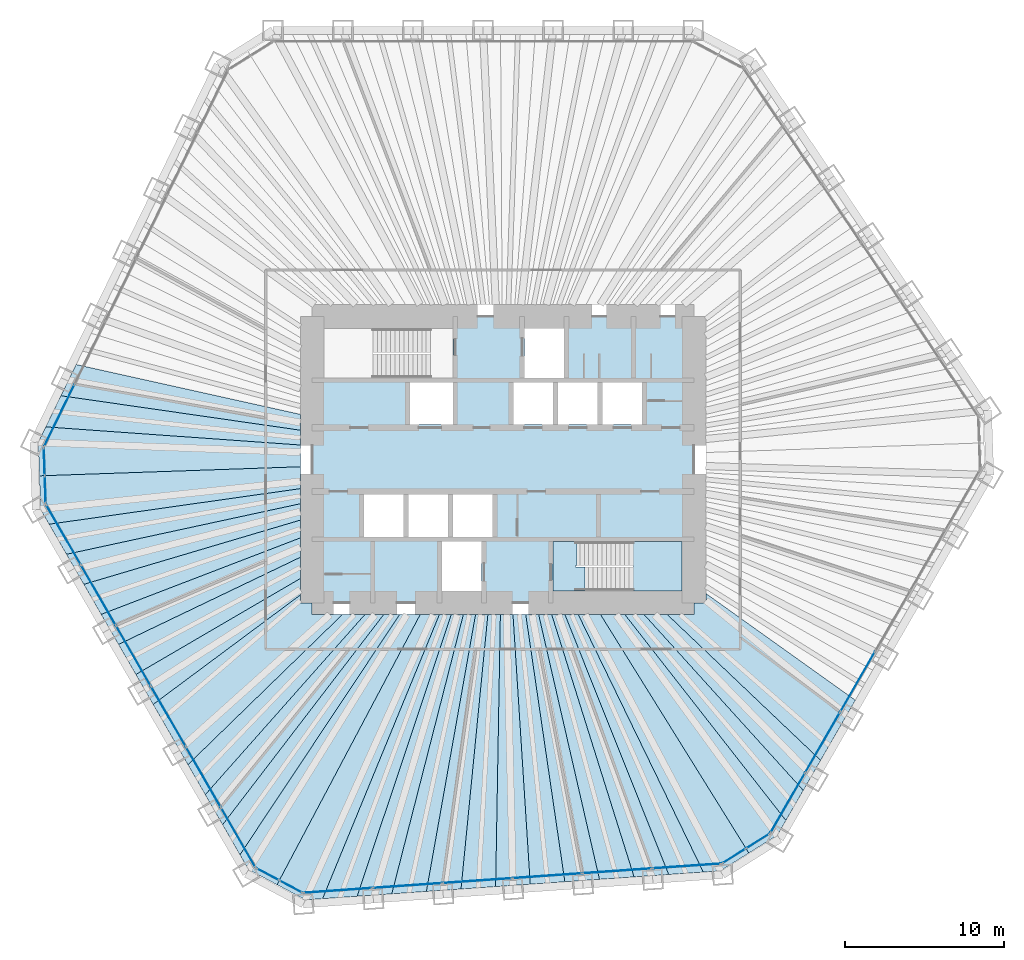
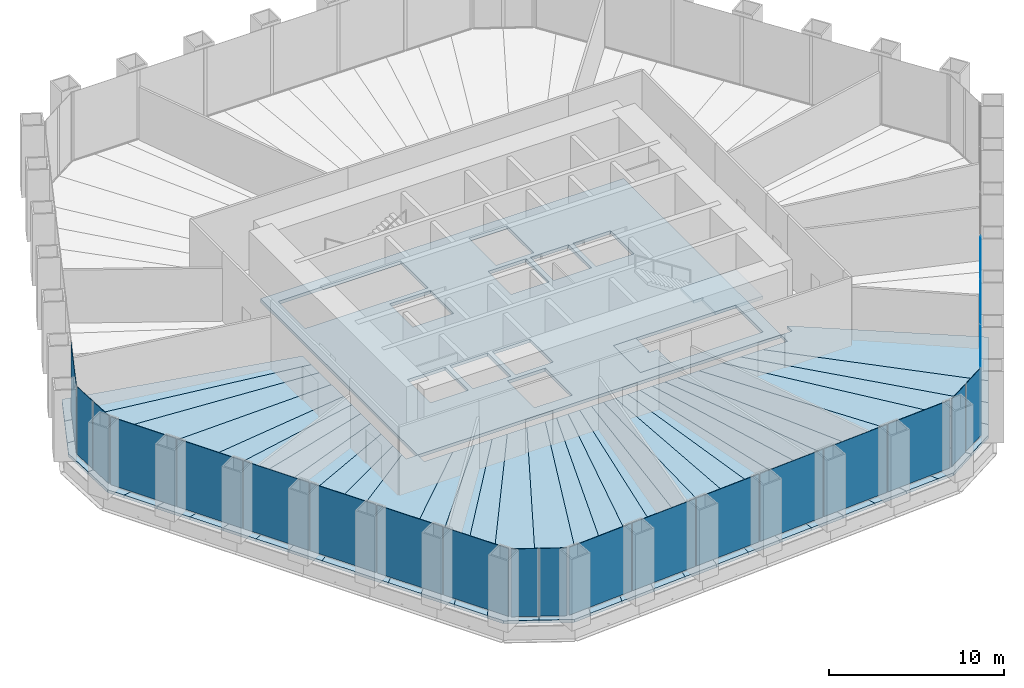
# One storey, part 8 of 13: 35 slabs, 22 plates, 8 elements without a shape of their own.
"""IFC4 building model written with IfcOpenShell, lengths in metres."""

from ifc_helpers import new_model, si_unit, direction, frame, origin, origin_2d, place, context, subcontext, project, spatial, polyline, rectangle, outline, extrude, material, layer, layer_set, type_object, element, aggregate, save


model = new_model("IFC4")

# Units and contexts
model_context = context("Model", 3, precision=1e-05, world=origin(), true_north=direction((0.0, 1.0)))
body_context = subcontext(model_context, "Body", "Model", "MODEL_VIEW")
ifc_project = project(units=[si_unit("LENGTHUNIT", "METRE"), si_unit("AREAUNIT", "SQUARE_METRE"), si_unit("VOLUMEUNIT", "CUBIC_METRE"), si_unit("PLANEANGLEUNIT", "RADIAN"), si_unit("MASSUNIT", "GRAM", prefix="KILO")], contexts=[model_context])

# Site, building, storey
site_placement = place(None, origin())
site = spatial("IfcSite", under=ifc_project, at=site_placement, CompositionType="ELEMENT")
building_placement = place(site_placement, origin())
building = spatial("IfcBuilding", under=site, at=building_placement, Name="Qingtian Harvest Tower", CompositionType="ELEMENT")
storey_placement = place(building_placement, frame((0.0, 0.0, 22.0)))
storey = spatial("IfcBuildingStorey", under=building, at=storey_placement, Name="L04", CompositionType="ELEMENT", Elevation=22.0)

# Slabs
ifc_material_1 = material(Name="Concrete fc' 35 MPa", Category="concrete")
ifc_layer_1 = layer(ifc_material_1, 0.199951171875)
ifc_layer_set_1 = layer_set([ifc_layer_1], Name="Composite floor slab FS20 200")
slab_type_1 = type_object("IfcSlabType", Name="Composite floor slab FS20 200", PredefinedType="FLOOR", material=ifc_layer_set_1)
slab_1_placement = place(storey_placement, frame((0.0, 0.0, -0.199951171875)))
element("IfcSlab", 1, at=slab_1_placement, inside=storey, type_object=slab_type_1, Name="Floor slab L04 panel D01", PredefinedType="FLOOR", context=body_context, shape_type="SweptSolid", body=[
    extrude(outline(polyline([(-29.157470703125, -1.018310546875), (-12.75, -0.447509765625), (-12.75, -1.822998046875), (-28.548583984375, -4.062255859375), (-29.08349609375, -3.135986328125), (-29.157470703125, -1.018310546875)])), origin(), (0.0, 0.0, 1.0), 0.199951171875),
])
slab_2_placement = place(storey_placement, frame((0.0, 0.0, -0.199951171875)))
element("IfcSlab", 2, at=slab_2_placement, inside=storey, type_object=slab_type_1, Name="Floor slab L04 panel D02", PredefinedType="FLOOR", context=body_context, shape_type="SweptSolid", body=[
    extrude(outline(polyline([(-12.75, -2.773681640625), (-27.45751953125, -5.9521484375), (-28.548583984375, -4.062255859375), (-12.75, -1.822998046875), (-12.75, -2.773681640625)])), origin(), (0.0, 0.0, 1.0), 0.199951171875),
])
slab_3_placement = place(storey_placement, frame((0.0, 0.0, -0.199951171875)))
element("IfcSlab", 3, at=slab_3_placement, inside=storey, type_object=slab_type_1, Name="Floor slab L04 panel D03", PredefinedType="FLOOR", context=body_context, shape_type="SweptSolid", body=[
    extrude(outline(polyline([(-12.75, -3.80322265625), (-26.366455078125, -7.842041015625), (-27.45751953125, -5.9521484375), (-12.75, -2.773681640625), (-12.75, -3.80322265625)])), origin(), (0.0, 0.0, 1.0), 0.199951171875),
])
slab_4_placement = place(storey_placement, frame((0.0, 0.0, -0.199951171875)))
element("IfcSlab", 4, at=slab_4_placement, inside=storey, type_object=slab_type_1, Name="Floor slab L04 panel D04", PredefinedType="FLOOR", context=body_context, shape_type="SweptSolid", body=[
    extrude(outline(polyline([(-12.75, -4.921875), (-25.275146484375, -9.732177734375), (-26.366455078125, -7.842041015625), (-12.75, -3.80322265625), (-12.75, -4.921875)])), origin(), (0.0, 0.0, 1.0), 0.199951171875),
])
slab_5_placement = place(storey_placement, frame((0.0, 0.0, -0.199951171875)))
element("IfcSlab", 5, at=slab_5_placement, inside=storey, type_object=slab_type_1, Name="Floor slab L04 panel D05", PredefinedType="FLOOR", context=body_context, shape_type="SweptSolid", body=[
    extrude(outline(polyline([(-12.75, -6.141357421875), (-24.18408203125, -11.6220703125), (-25.275146484375, -9.732177734375), (-12.75, -4.921875), (-12.75, -6.141357421875)])), origin(), (0.0, 0.0, 1.0), 0.199951171875),
])
slab_6_placement = place(storey_placement, frame((0.0, 0.0, -0.199951171875)))
element("IfcSlab", 6, at=slab_6_placement, inside=storey, type_object=slab_type_1, Name="Floor slab L04 panel D06", PredefinedType="FLOOR", context=body_context, shape_type="SweptSolid", body=[
    extrude(outline(polyline([(-12.75, -7.4765625), (-23.0927734375, -13.511962890625), (-24.18408203125, -11.6220703125), (-12.75, -6.141357421875), (-12.75, -7.4765625)])), origin(), (0.0, 0.0, 1.0), 0.199951171875),
])
slab_7_placement = place(storey_placement, frame((0.0, 0.0, -0.199951171875)))
element("IfcSlab", 7, at=slab_7_placement, inside=storey, type_object=slab_type_1, Name="Floor slab L04 panel D07", PredefinedType="FLOOR", context=body_context, shape_type="SweptSolid", body=[
    extrude(outline(polyline([(-12.75, -8.512451171875), (-22.00537109375, -15.3955078125), (-23.0927734375, -13.511962890625), (-12.75, -7.4765625), (-12.75, -8.512451171875)])), origin(), (0.0, 0.0, 1.0), 0.199951171875),
])
slab_8_placement = place(storey_placement, frame((0.0, 0.0, -0.199951171875)))
element("IfcSlab", 8, at=slab_8_placement, inside=storey, type_object=slab_type_1, Name="Floor slab L04 panel D09", PredefinedType="FLOOR", context=body_context, shape_type="SweptSolid", body=[
    extrude(outline(polyline([(-19.81982421875, -19.18115234375), (-22.00537109375, -15.3955078125), (-12.75, -8.512451171875), (-12.75, -9.0), (-12.0, -9.0), (-12.0, -9.75), (-10.1123046875, -9.75), (-19.81982421875, -19.18115234375)])), origin(), (0.0, 0.0, 1.0), 0.199951171875),
])
slab_9_placement = place(storey_placement, frame((0.0, 0.0, -0.199951171875)))
element("IfcSlab", 9, at=slab_9_placement, inside=storey, type_object=slab_type_1, Name="Floor slab L04 panel D10", PredefinedType="FLOOR", context=body_context, shape_type="SweptSolid", body=[
    extrude(outline(polyline([(-8.694580078125, -9.75), (-18.728515625, -21.0712890625), (-19.81982421875, -19.18115234375), (-10.1123046875, -9.75), (-8.694580078125, -9.75)])), origin(), (0.0, 0.0, 1.0), 0.199951171875),
])
slab_10_placement = place(storey_placement, frame((0.0, 0.0, -0.199951171875)))
element("IfcSlab", 10, at=slab_10_placement, inside=storey, type_object=slab_type_1, Name="Floor slab L04 panel D11", PredefinedType="FLOOR", context=body_context, shape_type="SweptSolid", body=[
    extrude(outline(polyline([(-7.511474609375, -9.75), (-17.63720703125, -22.961181640625), (-18.728515625, -21.0712890625), (-8.694580078125, -9.75), (-7.511474609375, -9.75)])), origin(), (0.0, 0.0, 1.0), 0.199951171875),
])
slab_11_placement = place(storey_placement, frame((0.0, 0.0, -0.199951171875)))
element("IfcSlab", 11, at=slab_11_placement, inside=storey, type_object=slab_type_1, Name="Floor slab L04 panel D12", PredefinedType="FLOOR", context=body_context, shape_type="SweptSolid", body=[
    extrude(outline(polyline([(-6.509033203125, -9.75), (-16.546142578125, -24.851318359375), (-17.63720703125, -22.961181640625), (-7.511474609375, -9.75), (-6.509033203125, -9.75)])), origin(), (0.0, 0.0, 1.0), 0.199951171875),
])
slab_12_placement = place(storey_placement, frame((0.0, 0.0, -0.199951171875)))
element("IfcSlab", 12, at=slab_12_placement, inside=storey, type_object=slab_type_1, Name="Floor slab L04 panel D13", PredefinedType="FLOOR", context=body_context, shape_type="SweptSolid", body=[
    extrude(outline(polyline([(-6.509033203125, -9.75), (-5.213623046875, -9.75), (-14.214599609375, -26.73291015625), (-16.01123046875, -25.777587890625), (-16.546142578125, -24.851318359375), (-6.509033203125, -9.75)])), origin(), (0.0, 0.0, 1.0), 0.199951171875),
])
slab_13_placement = place(storey_placement, frame((0.0, 0.0, -0.199951171875)))
element("IfcSlab", 13, at=slab_13_placement, inside=storey, type_object=slab_type_1, Name="Floor slab L04 panel D14", PredefinedType="FLOOR", context=body_context, shape_type="SweptSolid", body=[
    extrude(outline(polyline([(-5.213623046875, -9.75), (-4.006591796875, -9.75), (-11.350341796875, -27.614013671875), (-12.417236328125, -27.688720703125), (-14.214599609375, -26.73291015625), (-5.213623046875, -9.75)])), origin(), (0.0, 0.0, 1.0), 0.199951171875),
])
slab_14_placement = place(storey_placement, frame((0.0, 0.0, -0.199951171875)))
element("IfcSlab", 14, at=slab_14_placement, inside=storey, type_object=slab_type_1, Name="Floor slab L04 panel D15", PredefinedType="FLOOR", context=body_context, shape_type="SweptSolid", body=[
    extrude(outline(polyline([(-3.255859375, -9.75), (-9.17333984375, -27.4619140625), (-11.350341796875, -27.614013671875), (-4.006591796875, -9.75), (-3.255859375, -9.75)])), origin(), (0.0, 0.0, 1.0), 0.199951171875),
])
slab_15_placement = place(storey_placement, frame((0.0, 0.0, -0.199951171875)))
element("IfcSlab", 15, at=slab_15_placement, inside=storey, type_object=slab_type_1, Name="Floor slab L04 panel D16", PredefinedType="FLOOR", context=body_context, shape_type="SweptSolid", body=[
    extrude(outline(polyline([(-2.496826171875, -9.75), (-6.996337890625, -27.3095703125), (-9.17333984375, -27.4619140625), (-3.255859375, -9.75), (-2.496826171875, -9.75)])), origin(), (0.0, 0.0, 1.0), 0.199951171875),
])
slab_16_placement = place(storey_placement, frame((0.0, 0.0, -0.199951171875)))
element("IfcSlab", 16, at=slab_16_placement, inside=storey, type_object=slab_type_1, Name="Floor slab L04 panel D17", PredefinedType="FLOOR", context=body_context, shape_type="SweptSolid", body=[
    extrude(outline(polyline([(-1.729248046875, -9.75), (-4.8193359375, -27.1572265625), (-6.996337890625, -27.3095703125), (-2.496826171875, -9.75), (-1.729248046875, -9.75)])), origin(), (0.0, 0.0, 1.0), 0.199951171875),
])
slab_17_placement = place(storey_placement, frame((0.0, 0.0, -0.199951171875)))
element("IfcSlab", 17, at=slab_17_placement, inside=storey, type_object=slab_type_1, Name="Floor slab L04 panel D18", PredefinedType="FLOOR", context=body_context, shape_type="SweptSolid", body=[
    extrude(outline(polyline([(-0.952880859375, -9.75), (-2.642333984375, -27.005126953125), (-4.8193359375, -27.1572265625), (-1.729248046875, -9.75), (-0.952880859375, -9.75)])), origin(), (0.0, 0.0, 1.0), 0.199951171875),
])
slab_18_placement = place(storey_placement, frame((0.0, 0.0, -0.199951171875)))
element("IfcSlab", 18, at=slab_18_placement, inside=storey, type_object=slab_type_1, Name="Floor slab L04 panel D19", PredefinedType="FLOOR", context=body_context, shape_type="SweptSolid", body=[
    extrude(outline(polyline([(-0.16796875, -9.75), (-0.46533203125, -26.852783203125), (-2.642333984375, -27.005126953125), (-0.952880859375, -9.75), (-0.16796875, -9.75)])), origin(), (0.0, 0.0, 1.0), 0.199951171875),
])
slab_19_placement = place(storey_placement, frame((0.0, 0.0, -0.199951171875)))
element("IfcSlab", 19, at=slab_19_placement, inside=storey, type_object=slab_type_1, Name="Floor slab L04 panel D20", PredefinedType="FLOOR", context=body_context, shape_type="SweptSolid", body=[
    extrude(outline(polyline([(0.626220703125, -9.75), (1.711669921875, -26.70068359375), (-0.46533203125, -26.852783203125), (-0.16796875, -9.75), (0.626220703125, -9.75)])), origin(), (0.0, 0.0, 1.0), 0.199951171875),
])
slab_20_placement = place(storey_placement, frame((0.0, 0.0, -0.199951171875)))
element("IfcSlab", 20, at=slab_20_placement, inside=storey, type_object=slab_type_1, Name="Floor slab L04 panel D21", PredefinedType="FLOOR", context=body_context, shape_type="SweptSolid", body=[
    extrude(outline(polyline([(1.42919921875, -9.75), (3.888671875, -26.54833984375), (1.711669921875, -26.70068359375), (0.626220703125, -9.75), (1.42919921875, -9.75)])), origin(), (0.0, 0.0, 1.0), 0.199951171875),
])
slab_21_placement = place(storey_placement, frame((0.0, 0.0, -0.199951171875)))
element("IfcSlab", 21, at=slab_21_placement, inside=storey, type_object=slab_type_1, Name="Floor slab L04 panel D22", PredefinedType="FLOOR", context=body_context, shape_type="SweptSolid", body=[
    extrude(outline(polyline([(2.24169921875, -9.75), (6.065673828125, -26.396240234375), (3.888671875, -26.54833984375), (1.42919921875, -9.75), (2.24169921875, -9.75)])), origin(), (0.0, 0.0, 1.0), 0.199951171875),
])
slab_22_placement = place(storey_placement, frame((0.0, 0.0, -0.199951171875)))
element("IfcSlab", 22, at=slab_22_placement, inside=storey, type_object=slab_type_1, Name="Floor slab L04 panel D23", PredefinedType="FLOOR", context=body_context, shape_type="SweptSolid", body=[
    extrude(outline(polyline([(3.0634765625, -9.75), (8.24267578125, -26.243896484375), (6.065673828125, -26.396240234375), (2.24169921875, -9.75), (3.0634765625, -9.75)])), origin(), (0.0, 0.0, 1.0), 0.199951171875),
])
slab_23_placement = place(storey_placement, frame((0.0, 0.0, -0.199951171875)))
element("IfcSlab", 23, at=slab_23_placement, inside=storey, type_object=slab_type_1, Name="Floor slab L04 panel D24", PredefinedType="FLOOR", context=body_context, shape_type="SweptSolid", body=[
    extrude(outline(polyline([(3.894775390625, -9.75), (10.419677734375, -26.091796875), (8.24267578125, -26.243896484375), (3.0634765625, -9.75), (3.894775390625, -9.75)])), origin(), (0.0, 0.0, 1.0), 0.199951171875),
])
slab_24_placement = place(storey_placement, frame((0.0, 0.0, -0.199951171875)))
element("IfcSlab", 24, at=slab_24_placement, inside=storey, type_object=slab_type_1, Name="Floor slab L04 panel D25", PredefinedType="FLOOR", context=body_context, shape_type="SweptSolid", body=[
    extrude(outline(polyline([(4.736083984375, -9.75), (12.5966796875, -25.939453125), (10.419677734375, -26.091796875), (3.894775390625, -9.75), (4.736083984375, -9.75)])), origin(), (0.0, 0.0, 1.0), 0.199951171875),
])
slab_25_placement = place(storey_placement, frame((0.0, 0.0, -0.199951171875)))
element("IfcSlab", 25, at=slab_25_placement, inside=storey, type_object=slab_type_1, Name="Floor slab L04 panel D26", PredefinedType="FLOOR", context=body_context, shape_type="SweptSolid", body=[
    extrude(outline(polyline([(4.736083984375, -9.75), (6.136474609375, -9.75), (15.4609375, -24.74169921875), (13.663330078125, -25.864990234375), (12.5966796875, -25.939453125), (4.736083984375, -9.75)])), origin(), (0.0, 0.0, 1.0), 0.199951171875),
])
slab_26_placement = place(storey_placement, frame((0.0, 0.0, -0.199951171875)))
element("IfcSlab", 26, at=slab_26_placement, inside=storey, type_object=slab_type_1, Name="Floor slab L04 panel D27", PredefinedType="FLOOR", context=body_context, shape_type="SweptSolid", body=[
    extrude(outline(polyline([(6.136474609375, -9.75), (7.66748046875, -9.75), (17.79248046875, -22.692626953125), (17.257568359375, -23.618896484375), (15.4609375, -24.74169921875), (6.136474609375, -9.75)])), origin(), (0.0, 0.0, 1.0), 0.199951171875),
])
slab_27_placement = place(storey_placement, frame((0.0, 0.0, -0.199951171875)))
element("IfcSlab", 27, at=slab_27_placement, inside=storey, type_object=slab_type_1, Name="Floor slab L04 panel D28", PredefinedType="FLOOR", context=body_context, shape_type="SweptSolid", body=[
    extrude(outline(polyline([(8.88037109375, -9.75), (18.883544921875, -20.802734375), (17.79248046875, -22.692626953125), (7.66748046875, -9.75), (8.88037109375, -9.75)])), origin(), (0.0, 0.0, 1.0), 0.199951171875),
])
slab_28_placement = place(storey_placement, frame((0.0, 0.0, -0.199951171875)))
element("IfcSlab", 28, at=slab_28_placement, inside=storey, type_object=slab_type_1, Name="Floor slab L04 panel D29", PredefinedType="FLOOR", context=body_context, shape_type="SweptSolid", body=[
    extrude(outline(polyline([(10.337158203125, -9.75), (19.974853515625, -18.91259765625), (18.883544921875, -20.802734375), (8.88037109375, -9.75), (10.337158203125, -9.75)])), origin(), (0.0, 0.0, 1.0), 0.199951171875),
])
slab_29_placement = place(storey_placement, frame((0.0, 0.0, -0.199951171875)))
element("IfcSlab", 29, at=slab_29_placement, inside=storey, type_object=slab_type_1, Name="Floor slab L04 panel D31", PredefinedType="FLOOR", context=body_context, shape_type="SweptSolid", body=[
    extrude(outline(polyline([(12.75, -8.4091796875), (22.159423828125, -15.128662109375), (19.974853515625, -18.91259765625), (10.337158203125, -9.75), (12.0, -9.75), (12.0, -9.0), (12.75, -9.0), (12.75, -8.4091796875)])), origin(), (0.0, 0.0, 1.0), 0.199951171875),
])
slab_30_placement = place(storey_placement, frame((0.0, 0.0, -0.199951171875)))
element("IfcSlab", 30, at=slab_30_placement, inside=storey, type_object=slab_type_1, Name="Floor slab L04 panel D76", PredefinedType="FLOOR", context=body_context, shape_type="SweptSolid", body=[
    extrude(outline(polyline([(-12.75, 1.8525390625), (-27.805908203125, 4.022216796875), (-26.84912109375, 5.98388671875), (-12.75, 2.8505859375), (-12.75, 1.8525390625)])), origin(), (0.0, 0.0, 1.0), 0.199951171875),
])
slab_31_placement = place(storey_placement, frame((0.0, 0.0, -0.199951171875)))
element("IfcSlab", 31, at=slab_31_placement, inside=storey, type_object=slab_type_1, Name="Floor slab L04 panel D77", PredefinedType="FLOOR", context=body_context, shape_type="SweptSolid", body=[
    extrude(outline(polyline([(-12.75, 0.9208984375), (-28.762451171875, 2.060791015625), (-27.805908203125, 4.022216796875), (-12.75, 1.8525390625), (-12.75, 0.9208984375)])), origin(), (0.0, 0.0, 1.0), 0.199951171875),
])
slab_32_placement = place(storey_placement, frame((0.0, 0.0, -0.199951171875)))
element("IfcSlab", 32, at=slab_32_placement, inside=storey, type_object=slab_type_1, Name="Floor slab L04 panel D78", PredefinedType="FLOOR", context=body_context, shape_type="SweptSolid", body=[
    extrude(outline(polyline([(-12.75, 0.9208984375), (-12.75, -0.447509765625), (-29.157470703125, -1.018310546875), (-29.2314453125, 1.099609375), (-28.762451171875, 2.060791015625), (-12.75, 0.9208984375)])), origin(), (0.0, 0.0, 1.0), 0.199951171875),
])
ifc_material_2 = material(Name="Concrete fc' 35 MPa", Category="concrete")
ifc_layer_2 = layer(ifc_material_2, 0.219970703125)
ifc_layer_set_2 = layer_set([ifc_layer_2], Name="Core floor slab CS22 220")
slab_type_2 = type_object("IfcSlabType", Name="Core floor slab CS22 220", PredefinedType="FLOOR", material=ifc_layer_set_2)
slab_33_placement = place(storey_placement, frame((0.0, 0.0, -0.219970703125)))
element("IfcSlab", 33, at=slab_33_placement, inside=storey, type_object=slab_type_2, Name="Core floor slab L04", PredefinedType="FLOOR", context=body_context, shape_type="SweptSolid", body=[
    extrude(outline(polyline([(-12.0, -9.0), (12.0, -9.0), (12.0, 9.0), (-12.0, 9.0), (-12.0, -9.0)]), holes=[polyline([(-11.25, 5.14990234375), (-3.14990234375, 5.14990234375), (-3.14990234375, 8.25), (-11.25, 8.25), (-11.25, 5.14990234375)]), polyline([(3.14990234375, -8.25), (11.25, -8.25), (11.25, -5.14990234375), (3.14990234375, -5.14990234375), (3.14990234375, -8.25)]), polyline([(1.35009765625, 5.14990234375), (3.85009765625, 5.14990234375), (3.85009765625, 8.25), (1.35009765625, 8.25), (1.35009765625, 5.14990234375)]), polyline([(-3.85009765625, -8.25), (-1.35009765625, -8.25), (-1.35009765625, -5.14990234375), (-3.85009765625, -5.14990234375), (-3.85009765625, -8.25)]), polyline([(-5.85009765625, 2.199951171875), (-3.14990234375, 2.199951171875), (-3.14990234375, 4.85009765625), (-5.85009765625, 4.85009765625), (-5.85009765625, 2.199951171875)]), polyline([(0.64990234375, 2.199951171875), (3.14990234375, 2.199951171875), (3.14990234375, 4.85009765625), (0.64990234375, 4.85009765625), (0.64990234375, 2.199951171875)]), polyline([(3.449951171875, 2.199951171875), (5.949951171875, 2.199951171875), (5.949951171875, 4.85009765625), (3.449951171875, 4.85009765625), (3.449951171875, 2.199951171875)]), polyline([(6.25, 2.199951171875), (8.75, 2.199951171875), (8.75, 4.85009765625), (6.25, 4.85009765625), (6.25, 2.199951171875)]), polyline([(-8.75, -4.85009765625), (-6.25, -4.85009765625), (-6.25, -2.199951171875), (-8.75, -2.199951171875), (-8.75, -4.85009765625)]), polyline([(-5.949951171875, -4.85009765625), (-3.449951171875, -4.85009765625), (-3.449951171875, -2.199951171875), (-5.949951171875, -2.199951171875), (-5.949951171875, -4.85009765625)]), polyline([(-3.14990234375, -4.85009765625), (-0.64990234375, -4.85009765625), (-0.64990234375, -2.199951171875), (-3.14990234375, -2.199951171875), (-3.14990234375, -4.85009765625)])]), origin(), (0.0, 0.0, 1.0), 0.219970703125),
])

# Curtain wall, plates
ifc_material_3 = material(Name="Bronze-anodised aluminium curtain wall", Category="aluminium")
curtain_wall_type = type_object("IfcCurtainWallType", Name="Curtain wall CW2 farm reception", PredefinedType="USERDEFINED", material=ifc_material_3)
curtain_wall_1_placement = place(storey_placement, origin())
curtain_wall_1 = element("IfcCurtainWall", 34, at=curtain_wall_1_placement, inside=storey, type_object=curtain_wall_type, Name="Curtain wall CW2 L04 SE0-5", ObjectType="RECESSED CURTAIN WALL", PredefinedType="USERDEFINED")
ifc_material_4 = material(Name="Bronze-tinted laminated insulating glass", Category="glass")
ifc_layer_3 = layer(ifc_material_4, 0.030029296875)
ifc_layer_set_3 = layer_set([ifc_layer_3], Name="Glazed panel CWP tinted IGU")
plate_type = type_object("IfcPlateType", Name="Glazed panel CWP tinted IGU", PredefinedType="CURTAIN_PANEL", material=ifc_layer_set_3)
plate_1_placement = place(storey_placement, frame((22.30419921875, -13.968017578125, 0.06494140625), z_axis=(0.0, 0.0, 1.0), x_axis=(-0.5, -0.866025403784, 0.0)))
plate_1 = element("IfcPlate", 35, at=plate_1_placement, type_object=plate_type, Name="CW2 panel 4.1", PredefinedType="CURTAIN_PANEL", context=body_context, shape_type="SweptSolid", body=[
    extrude(rectangle(XDim=4.339599609375, YDim=0.030029296875, at=origin_2d()), origin(), (0.0, 0.0, 1.0), 4.735107421875),
])
plate_2_placement = place(storey_placement, frame((20.101806640625, -17.782470703125, 0.06494140625), z_axis=(0.0, 0.0, 1.0), x_axis=(-0.5, -0.866025403784, 0.0)))
plate_2 = element("IfcPlate", 36, at=plate_2_placement, type_object=plate_type, Name="CW2 panel 5.1", PredefinedType="CURTAIN_PANEL", context=body_context, shape_type="SweptSolid", body=[
    extrude(rectangle(XDim=4.339599609375, YDim=0.030029296875, at=origin_2d()), origin(), (0.0, 0.0, 1.0), 4.735107421875),
])
plate_3_placement = place(storey_placement, frame((17.90771484375, -21.5830078125, 0.06494140625), z_axis=(0.0, 0.0, 1.0), x_axis=(-0.5, -0.866025403784, 0.0)))
plate_3 = element("IfcPlate", 37, at=plate_3_placement, type_object=plate_type, Name="CW2 panel 6.1", PredefinedType="CURTAIN_PANEL", context=body_context, shape_type="SweptSolid", body=[
    extrude(rectangle(XDim=4.30712890625, YDim=0.030029296875, at=origin_2d()), origin(), (0.0, 0.0, 1.0), 4.735107421875),
])
aggregate(curtain_wall_1, [plate_1, plate_2, plate_3])

curtain_wall_2_placement = place(storey_placement, origin())
curtain_wall_2 = element("IfcCurtainWall", 38, at=curtain_wall_2_placement, inside=storey, type_object=curtain_wall_type, Name="Curtain wall CW2 L04 SEC", ObjectType="RECESSED CURTAIN WALL", PredefinedType="USERDEFINED")
plate_4_placement = place(storey_placement, frame((16.025390625, -23.9873046875, 0.06494140625), z_axis=(0.0, 0.0, 1.0), x_axis=(-0.848048096156, -0.529919264233, 0.0)))
plate_4 = element("IfcPlate", 39, at=plate_4_placement, type_object=plate_type, Name="CW2 panel 1.1", PredefinedType="CURTAIN_PANEL", context=body_context, shape_type="SweptSolid", body=[
    extrude(rectangle(XDim=1.69287109375, YDim=0.030029296875, at=origin_2d()), origin(), (0.0, 0.0, 1.0), 4.735107421875),
])
plate_5_placement = place(storey_placement, frame((14.53466796875, -24.9189453125, 0.06494140625), z_axis=(0.0, 0.0, 1.0), x_axis=(-0.848048096156, -0.529919264233, 0.0)))
plate_5 = element("IfcPlate", 40, at=plate_5_placement, type_object=plate_type, Name="CW2 panel 2.1", PredefinedType="CURTAIN_PANEL", context=body_context, shape_type="SweptSolid", body=[
    extrude(rectangle(XDim=1.69287109375, YDim=0.030029296875, at=origin_2d()), origin(), (0.0, 0.0, 1.0), 4.735107421875),
])
aggregate(curtain_wall_2, [plate_4, plate_5])

curtain_wall_3_placement = place(storey_placement, origin())
curtain_wall_3 = element("IfcCurtainWall", 41, at=curtain_wall_3_placement, inside=storey, type_object=curtain_wall_type, Name="Curtain wall CW2 L04 S0-5", ObjectType="RECESSED CURTAIN WALL", PredefinedType="USERDEFINED")
plate_6_placement = place(storey_placement, frame((11.548583984375, -25.556640625, 0.06494140625), z_axis=(0.0, 0.0, 1.0), x_axis=(-0.99756405026, -0.069756473744, 0.0)))
plate_6 = element("IfcPlate", 42, at=plate_6_placement, type_object=plate_type, Name="CW2 panel 1.1", PredefinedType="CURTAIN_PANEL", context=body_context, shape_type="SweptSolid", body=[
    extrude(rectangle(XDim=4.30712890625, YDim=0.030029296875, at=origin_2d()), origin(), (0.0, 0.0, 1.0), 4.735107421875),
])
plate_7_placement = place(storey_placement, frame((7.1708984375, -25.86279296875, 0.06494140625), z_axis=(0.0, 0.0, 1.0), x_axis=(-0.99756405026, -0.069756473744, 0.0)))
plate_7 = element("IfcPlate", 43, at=plate_7_placement, type_object=plate_type, Name="CW2 panel 2.1", PredefinedType="CURTAIN_PANEL", context=body_context, shape_type="SweptSolid", body=[
    extrude(rectangle(XDim=4.339599609375, YDim=0.030029296875, at=origin_2d()), origin(), (0.0, 0.0, 1.0), 4.735107421875),
])
plate_8_placement = place(storey_placement, frame((2.77685546875, -26.169921875, 0.06494140625), z_axis=(0.0, 0.0, 1.0), x_axis=(-0.99756405026, -0.069756473744, 0.0)))
plate_8 = element("IfcPlate", 44, at=plate_8_placement, type_object=plate_type, Name="CW2 panel 3.1", PredefinedType="CURTAIN_PANEL", context=body_context, shape_type="SweptSolid", body=[
    extrude(rectangle(XDim=4.339599609375, YDim=0.030029296875, at=origin_2d()), origin(), (0.0, 0.0, 1.0), 4.735107421875),
])
plate_9_placement = place(storey_placement, frame((-1.616943359375, -26.477294921875, 0.06494140625), z_axis=(0.0, 0.0, 1.0), x_axis=(-0.99756405026, -0.069756473744, 0.0)))
plate_9 = element("IfcPlate", 45, at=plate_9_placement, type_object=plate_type, Name="CW2 panel 4.1", PredefinedType="CURTAIN_PANEL", context=body_context, shape_type="SweptSolid", body=[
    extrude(rectangle(XDim=4.339599609375, YDim=0.030029296875, at=origin_2d()), origin(), (0.0, 0.0, 1.0), 4.735107421875),
])
plate_10_placement = place(storey_placement, frame((-6.0107421875, -26.784423828125, 0.06494140625), z_axis=(0.0, 0.0, 1.0), x_axis=(-0.99756405026, -0.069756473744, 0.0)))
plate_10 = element("IfcPlate", 46, at=plate_10_placement, type_object=plate_type, Name="CW2 panel 5.1", PredefinedType="CURTAIN_PANEL", context=body_context, shape_type="SweptSolid", body=[
    extrude(rectangle(XDim=4.339599609375, YDim=0.030029296875, at=origin_2d()), origin(), (0.0, 0.0, 1.0), 4.735107421875),
])
plate_11_placement = place(storey_placement, frame((-10.388427734375, -27.090576171875, 0.06494140625), z_axis=(0.0, 0.0, 1.0), x_axis=(-0.99756405026, -0.069756473744, 0.0)))
plate_11 = element("IfcPlate", 47, at=plate_11_placement, type_object=plate_type, Name="CW2 panel 6.1", PredefinedType="CURTAIN_PANEL", context=body_context, shape_type="SweptSolid", body=[
    extrude(rectangle(XDim=4.30712890625, YDim=0.030029296875, at=origin_2d()), origin(), (0.0, 0.0, 1.0), 4.735107421875),
])
aggregate(curtain_wall_3, [plate_6, plate_7, plate_8, plate_9, plate_10, plate_11])

curtain_wall_4_placement = place(storey_placement, origin())
curtain_wall_4 = element("IfcCurtainWall", 48, at=curtain_wall_4_placement, inside=storey, type_object=curtain_wall_type, Name="Curtain wall CW2 L04 SC", ObjectType="RECESSED CURTAIN WALL", PredefinedType="USERDEFINED")
plate_12_placement = place(storey_placement, frame((-13.350830078125, -26.84716796875, 0.06494140625), z_axis=(0.0, 0.0, 1.0), x_axis=(-0.882947592859, 0.469471562786, 0.0)))
plate_12 = element("IfcPlate", 49, at=plate_12_placement, type_object=plate_type, Name="CW2 panel 1.1", PredefinedType="CURTAIN_PANEL", context=body_context, shape_type="SweptSolid", body=[
    extrude(rectangle(XDim=1.56689453125, YDim=0.030029296875, at=origin_2d()), origin(), (0.0, 0.0, 1.0), 4.735107421875),
])
plate_13_placement = place(storey_placement, frame((-14.79150390625, -26.0810546875, 0.06494140625), z_axis=(0.0, 0.0, 1.0), x_axis=(-0.882947592859, 0.469471562786, 0.0)))
plate_13 = element("IfcPlate", 50, at=plate_13_placement, type_object=plate_type, Name="CW2 panel 2.1", PredefinedType="CURTAIN_PANEL", context=body_context, shape_type="SweptSolid", body=[
    extrude(rectangle(XDim=1.56689453125, YDim=0.030029296875, at=origin_2d()), origin(), (0.0, 0.0, 1.0), 4.735107421875),
])
aggregate(curtain_wall_4, [plate_12, plate_13])

curtain_wall_5_placement = place(storey_placement, origin())
curtain_wall_5 = element("IfcCurtainWall", 51, at=curtain_wall_5_placement, inside=storey, type_object=curtain_wall_type, Name="Curtain wall CW2 L04 SW0-5", ObjectType="RECESSED CURTAIN WALL", PredefinedType="USERDEFINED")
plate_14_placement = place(storey_placement, frame((-16.64990234375, -23.76123046875, 0.06494140625), z_axis=(0.0, 0.0, 1.0), x_axis=(-0.5, 0.866025403784, 0.0)))
plate_14 = element("IfcPlate", 52, at=plate_14_placement, type_object=plate_type, Name="CW2 panel 1.1", PredefinedType="CURTAIN_PANEL", context=body_context, shape_type="SweptSolid", body=[
    extrude(rectangle(XDim=4.30712890625, YDim=0.030029296875, at=origin_2d()), origin(), (0.0, 0.0, 1.0), 4.735107421875),
])
plate_15_placement = place(storey_placement, frame((-18.84423828125, -19.9609375, 0.06494140625), z_axis=(0.0, 0.0, 1.0), x_axis=(-0.5, 0.866025403784, 0.0)))
plate_15 = element("IfcPlate", 53, at=plate_15_placement, type_object=plate_type, Name="CW2 panel 2.1", PredefinedType="CURTAIN_PANEL", context=body_context, shape_type="SweptSolid", body=[
    extrude(rectangle(XDim=4.339599609375, YDim=0.030029296875, at=origin_2d()), origin(), (0.0, 0.0, 1.0), 4.735107421875),
])
plate_16_placement = place(storey_placement, frame((-21.04638671875, -16.146484375, 0.06494140625), z_axis=(0.0, 0.0, 1.0), x_axis=(-0.5, 0.866025403784, 0.0)))
plate_16 = element("IfcPlate", 54, at=plate_16_placement, type_object=plate_type, Name="CW2 panel 3.1", PredefinedType="CURTAIN_PANEL", context=body_context, shape_type="SweptSolid", body=[
    extrude(rectangle(XDim=4.339599609375, YDim=0.030029296875, at=origin_2d()), origin(), (0.0, 0.0, 1.0), 4.735107421875),
])
plate_17_placement = place(storey_placement, frame((-23.248779296875, -12.33203125, 0.06494140625), z_axis=(0.0, 0.0, 1.0), x_axis=(-0.5, 0.866025403784, 0.0)))
plate_17 = element("IfcPlate", 55, at=plate_17_placement, type_object=plate_type, Name="CW2 panel 4.1", PredefinedType="CURTAIN_PANEL", context=body_context, shape_type="SweptSolid", body=[
    extrude(rectangle(XDim=4.339599609375, YDim=0.030029296875, at=origin_2d()), origin(), (0.0, 0.0, 1.0), 4.735107421875),
])
plate_18_placement = place(storey_placement, frame((-25.451171875, -8.517333984375, 0.06494140625), z_axis=(0.0, 0.0, 1.0), x_axis=(-0.5, 0.866025403784, 0.0)))
plate_18 = element("IfcPlate", 56, at=plate_18_placement, type_object=plate_type, Name="CW2 panel 5.1", PredefinedType="CURTAIN_PANEL", context=body_context, shape_type="SweptSolid", body=[
    extrude(rectangle(XDim=4.339599609375, YDim=0.030029296875, at=origin_2d()), origin(), (0.0, 0.0, 1.0), 4.735107421875),
])
plate_19_placement = place(storey_placement, frame((-27.645263671875, -4.717041015625, 0.06494140625), z_axis=(0.0, 0.0, 1.0), x_axis=(-0.5, 0.866025403784, 0.0)))
plate_19 = element("IfcPlate", 57, at=plate_19_placement, type_object=plate_type, Name="CW2 panel 6.1", PredefinedType="CURTAIN_PANEL", context=body_context, shape_type="SweptSolid", body=[
    extrude(rectangle(XDim=4.30712890625, YDim=0.030029296875, at=origin_2d()), origin(), (0.0, 0.0, 1.0), 4.735107421875),
])
aggregate(curtain_wall_5, [plate_14, plate_15, plate_16, plate_17, plate_18, plate_19])

curtain_wall_6_placement = place(storey_placement, origin())
curtain_wall_6 = element("IfcCurtainWall", 58, at=curtain_wall_6_placement, inside=storey, type_object=curtain_wall_type, Name="Curtain wall CW2 L04 SWC", ObjectType="RECESSED CURTAIN WALL", PredefinedType="USERDEFINED")
plate_20_placement = place(storey_placement, frame((-28.786376953125, -1.884765625, 0.06494140625), z_axis=(0.0, 0.0, 1.0), x_axis=(-0.034899496703, 0.999390827019, 0.0)))
plate_20 = element("IfcPlate", 59, at=plate_20_placement, type_object=plate_type, Name="CW2 panel 1.1", PredefinedType="CURTAIN_PANEL", context=body_context, shape_type="SweptSolid", body=[
    extrude(rectangle(XDim=1.69287109375, YDim=0.030029296875, at=origin_2d()), origin(), (0.0, 0.0, 1.0), 4.735107421875),
])
plate_21_placement = place(storey_placement, frame((-28.84765625, -0.1279296875, 0.06494140625), z_axis=(0.0, 0.0, 1.0), x_axis=(-0.034899496703, 0.999390827019, 0.0)))
plate_21 = element("IfcPlate", 60, at=plate_21_placement, type_object=plate_type, Name="CW2 panel 2.1", PredefinedType="CURTAIN_PANEL", context=body_context, shape_type="SweptSolid", body=[
    extrude(rectangle(XDim=1.69287109375, YDim=0.030029296875, at=origin_2d()), origin(), (0.0, 0.0, 1.0), 4.735107421875),
])
aggregate(curtain_wall_6, [plate_20, plate_21])

# Curtain wall, plate
curtain_wall_7_placement = place(storey_placement, origin())
curtain_wall_7 = element("IfcCurtainWall", 61, at=curtain_wall_7_placement, inside=storey, type_object=curtain_wall_type, Name="Curtain wall CW2 L04 NW0-5", ObjectType="RECESSED CURTAIN WALL", PredefinedType="USERDEFINED")
plate_22_placement = place(storey_placement, frame((-27.906982421875, 2.777099609375, 0.06494140625), z_axis=(0.0, 0.0, 1.0), x_axis=(0.438371146789, 0.898794046299, 0.0)))
plate_22 = element("IfcPlate", 62, at=plate_22_placement, type_object=plate_type, Name="CW2 panel 1.1", PredefinedType="CURTAIN_PANEL", context=body_context, shape_type="SweptSolid", body=[
    extrude(rectangle(XDim=4.30712890625, YDim=0.030029296875, at=origin_2d()), origin(), (0.0, 0.0, 1.0), 4.735107421875),
])
aggregate(curtain_wall_7, [plate_22])

# Stair, slabs
ifc_material_5 = material(Name="Concrete fc' 35 MPa", Category="concrete")
stair_type = type_object("IfcStairType", Name="Special stair ST2 5000", PredefinedType="HALF_TURN_STAIR", material=ifc_material_5)
stair_placement = place(storey_placement, origin())
stair = element("IfcStair", 63, at=stair_placement, inside=storey, type_object=stair_type, Name="Special stair S2 L04", PredefinedType="HALF_TURN_STAIR")
ifc_material_6 = material(Name="Concrete fc' 35 MPa", Category="concrete")
ifc_layer_4 = layer(ifc_material_6, 0.199951171875)
ifc_layer_set_4 = layer_set([ifc_layer_4], Name="Stair landing SL2 200")
slab_type_3 = type_object("IfcSlabType", Name="Stair landing SL2 200", PredefinedType="LANDING", material=ifc_layer_set_4)
slab_34_placement = place(storey_placement, frame((0.0, 0.0, -0.199951171875)))
slab_34 = element("IfcSlab", 64, at=slab_34_placement, type_object=slab_type_3, Name="S2 landing 1", PredefinedType="LANDING", context=body_context, shape_type="SweptSolid", body=[
    extrude(outline(polyline([(5.155029296875, -8.25), (3.14990234375, -8.25), (3.14990234375, -5.14990234375), (4.64990234375, -5.14990234375), (4.64990234375, -6.64990234375), (4.550048828125, -6.64990234375), (4.550048828125, -6.75), (5.155029296875, -6.75), (5.155029296875, -8.25)])), origin(), (0.0, 0.0, 1.0), 0.199951171875),
])
slab_35_placement = place(storey_placement, frame((0.0, 0.0, 2.300048828125)))
slab_35 = element("IfcSlab", 65, at=slab_35_placement, type_object=slab_type_3, Name="S2 landing 2", PredefinedType="LANDING", context=body_context, shape_type="SweptSolid", body=[
    extrude(outline(polyline([(8.090087890625, -8.25), (8.090087890625, -6.75), (8.18994140625, -6.75), (8.18994140625, -6.64990234375), (7.5849609375, -6.64990234375), (7.5849609375, -5.14990234375), (11.25, -5.14990234375), (11.25, -8.25), (8.090087890625, -8.25)])), origin(), (0.0, 0.0, 1.0), 0.199951171875),
])
aggregate(stair, [slab_34, slab_35])

save(model, "model.ifc")
